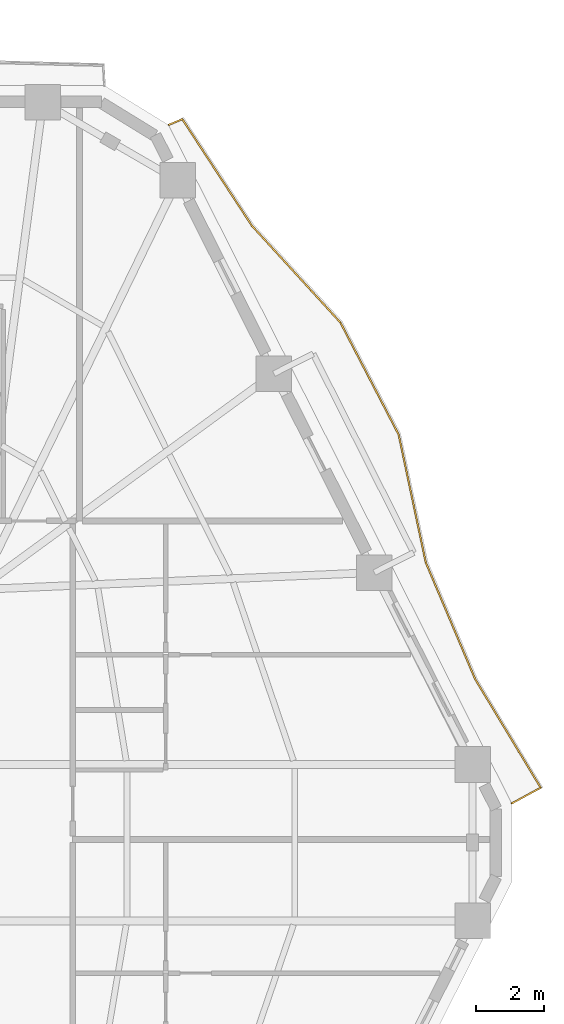
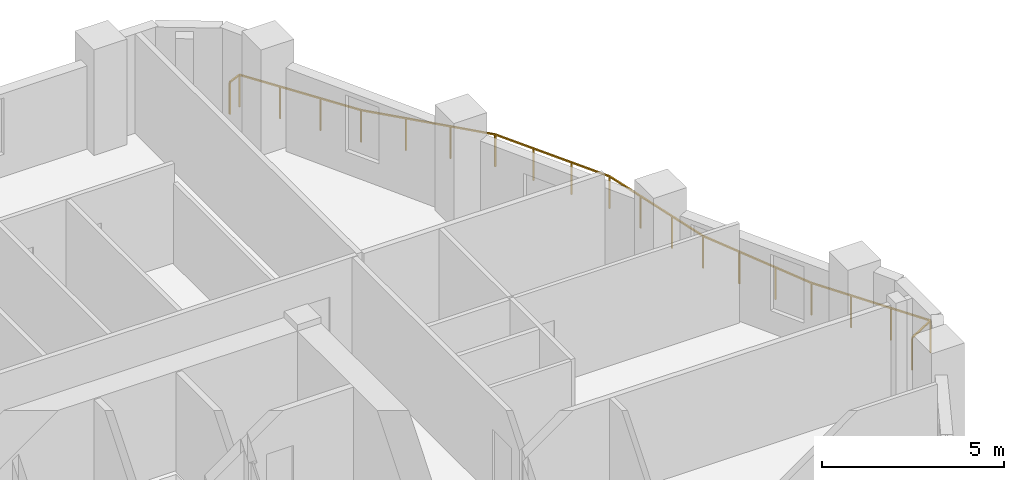
# One storey, part 11 of 11: 1 railing.
"""IFC4 building model written with IfcOpenShell, lengths in metres."""

from ifc_helpers import new_model, si_unit, direction, frame, origin, origin_2d, place, context, subcontext, project, spatial, rectangle, extrude, material, type_object, element, save


model = new_model("IFC4")

# Units and contexts
model_context = context("Model", 3, precision=1e-05, world=origin(), true_north=direction((0.0, 1.0)))
body_context = subcontext(model_context, "Body", "Model", "MODEL_VIEW")
ifc_project = project(units=[si_unit("LENGTHUNIT", "METRE"), si_unit("AREAUNIT", "SQUARE_METRE"), si_unit("VOLUMEUNIT", "CUBIC_METRE"), si_unit("PLANEANGLEUNIT", "RADIAN"), si_unit("MASSUNIT", "GRAM", prefix="KILO")], contexts=[model_context])

# Site, building, storey
site_placement = place(None, origin())
site = spatial("IfcSite", under=ifc_project, at=site_placement, CompositionType="ELEMENT")
building_placement = place(site_placement, origin())
building = spatial("IfcBuilding", under=site, at=building_placement, Name="Cinnabar Lancet Tower", CompositionType="ELEMENT")
storey_placement = place(building_placement, frame((0.0, 0.0, 133.89990234375)))
storey = spatial("IfcBuildingStorey", under=building, at=storey_placement, Name="L35", CompositionType="ELEMENT", Elevation=133.89990234375)

# Railing
ifc_material = material(Name="Laminated safety glass and bronze stainless steel balustrade", Category="steel")
railing_type = type_object("IfcRailingType", Name="ENV-RLG-BAL-1100", PredefinedType="BALUSTRADE", material=ifc_material)
railing_placement = place(storey_placement, frame((57.512939453125, 26.9599609375, 0.0)))
element("IfcRailing", 1, at=railing_placement, inside=storey, type_object=railing_type, Name="L35 Face 3 Wave Balcony Balustrade", PredefinedType="BALUSTRADE", context=body_context, shape_type="SweptSolid", body=[
    extrude(rectangle(XDim=0.048095703125, YDim=0.048095703125, at=origin_2d()), frame((0.0, 0.0, 1.076171875), z_axis=(0.878633673283, 0.477496458808, 0.0), x_axis=(-0.477496458808, 0.878633673283, 0.0)), (0.0, 0.0, 1.0), 0.971923828125),
    extrude(rectangle(XDim=0.048095703125, YDim=0.048095703125, at=origin_2d()), frame((0.85400390625, 0.464111328125, 1.076171875), z_axis=(-0.516873610427, 0.856061721398, 0.0), x_axis=(-0.856061721398, -0.516873610427, 0.0)), (0.0, 0.0, 1.0), 3.741455078125),
    extrude(rectangle(XDim=0.048095703125, YDim=0.048095703125, at=origin_2d()), frame((-1.079833984375, 3.6669921875, 1.076171875), z_axis=(-0.389842286977, 0.920881638043, 0.0), x_axis=(-0.920881638043, -0.389842286977, 0.0)), (0.0, 0.0, 1.0), 3.739990234375),
    extrude(rectangle(XDim=0.048095703125, YDim=0.048095703125, at=origin_2d()), frame((-2.537841796875, 7.111083984375, 1.076171875), z_axis=(-0.207575757314, 0.978218945316, 0.0), x_axis=(-0.978218945316, -0.207575757314, 0.0)), (0.0, 0.0, 1.0), 3.85888671875),
    extrude(rectangle(XDim=0.048095703125, YDim=0.048095703125, at=origin_2d()), frame((-3.3388671875, 10.885986328125, 1.076171875), z_axis=(-0.460979790235, 0.887410633807, 0.0), x_axis=(-0.887410633807, -0.460979790235, 0.0)), (0.0, 0.0, 1.0), 3.731201171875),
    extrude(rectangle(XDim=0.048095703125, YDim=0.048095703125, at=origin_2d()), frame((-5.058837890625, 14.197021484375, 1.076171875), z_axis=(-0.674919276383, 0.737891570874, 0.0), x_axis=(-0.737891570874, -0.674919276383, 0.0)), (0.0, 0.0, 1.0), 3.873046875),
    extrude(rectangle(XDim=0.048095703125, YDim=0.048095703125, at=origin_2d()), frame((-7.6728515625, 17.054931640625, 1.076171875), z_axis=(-0.546618702508, 0.837381629885, 0.0), x_axis=(-0.837381629885, -0.546618702508, 0.0)), (0.0, 0.0, 1.0), 3.755859375),
    extrude(rectangle(XDim=0.048095703125, YDim=0.048095703125, at=origin_2d()), frame((-9.725830078125, 20.199951171875, 1.076171875), z_axis=(-0.923207557986, -0.38430171074, 0.0), x_axis=(0.38430171074, -0.923207557986, 0.0)), (0.0, 0.0, 1.0), 0.442138671875),
    extrude(rectangle(XDim=0.0419921875, YDim=0.0419921875, at=origin_2d()), origin(), (0.0, 0.0, 1.0), 1.052001953125),
    extrude(rectangle(XDim=0.0419921875, YDim=0.0419921875, at=origin_2d()), frame((0.85400390625, 0.464111328125, 0.0)), (0.0, 0.0, 1.0), 1.052001953125),
    extrude(rectangle(XDim=0.0419921875, YDim=0.0419921875, at=origin_2d()), frame((0.20947265625, 1.53173828125, 0.0)), (0.0, 0.0, 1.0), 1.052001953125),
    extrude(rectangle(XDim=0.0419921875, YDim=0.0419921875, at=origin_2d()), frame((-0.435302734375, 2.599365234375, 0.0)), (0.0, 0.0, 1.0), 1.052001953125),
    extrude(rectangle(XDim=0.0419921875, YDim=0.0419921875, at=origin_2d()), frame((-1.079833984375, 3.6669921875, 0.0)), (0.0, 0.0, 1.0), 1.052001953125),
    extrude(rectangle(XDim=0.0419921875, YDim=0.0419921875, at=origin_2d()), frame((-1.56591796875, 4.81494140625, 0.0)), (0.0, 0.0, 1.0), 1.052001953125),
    extrude(rectangle(XDim=0.0419921875, YDim=0.0419921875, at=origin_2d()), frame((-2.0517578125, 5.963134765625, 0.0)), (0.0, 0.0, 1.0), 1.052001953125),
    extrude(rectangle(XDim=0.0419921875, YDim=0.0419921875, at=origin_2d()), frame((-2.537841796875, 7.111083984375, 0.0)), (0.0, 0.0, 1.0), 1.052001953125),
    extrude(rectangle(XDim=0.0419921875, YDim=0.0419921875, at=origin_2d()), frame((-2.804931640625, 8.369384765625, 0.0)), (0.0, 0.0, 1.0), 1.052001953125),
    extrude(rectangle(XDim=0.0419921875, YDim=0.0419921875, at=origin_2d()), frame((-3.07177734375, 9.627685546875, 0.0)), (0.0, 0.0, 1.0), 1.052001953125),
    extrude(rectangle(XDim=0.0419921875, YDim=0.0419921875, at=origin_2d()), frame((-3.3388671875, 10.885986328125, 0.0)), (0.0, 0.0, 1.0), 1.052001953125),
    extrude(rectangle(XDim=0.0419921875, YDim=0.0419921875, at=origin_2d()), frame((-3.912109375, 11.98974609375, 0.0)), (0.0, 0.0, 1.0), 1.052001953125),
    extrude(rectangle(XDim=0.0419921875, YDim=0.0419921875, at=origin_2d()), frame((-4.485595703125, 13.09326171875, 0.0)), (0.0, 0.0, 1.0), 1.052001953125),
    extrude(rectangle(XDim=0.0419921875, YDim=0.0419921875, at=origin_2d()), frame((-5.058837890625, 14.197021484375, 0.0)), (0.0, 0.0, 1.0), 1.052001953125),
    extrude(rectangle(XDim=0.0419921875, YDim=0.0419921875, at=origin_2d()), frame((-5.93017578125, 15.149658203125, 0.0)), (0.0, 0.0, 1.0), 1.052001953125),
    extrude(rectangle(XDim=0.0419921875, YDim=0.0419921875, at=origin_2d()), frame((-6.801513671875, 16.102294921875, 0.0)), (0.0, 0.0, 1.0), 1.052001953125),
    extrude(rectangle(XDim=0.0419921875, YDim=0.0419921875, at=origin_2d()), frame((-7.6728515625, 17.054931640625, 0.0)), (0.0, 0.0, 1.0), 1.052001953125),
    extrude(rectangle(XDim=0.0419921875, YDim=0.0419921875, at=origin_2d()), frame((-8.357177734375, 18.103271484375, 0.0)), (0.0, 0.0, 1.0), 1.052001953125),
    extrude(rectangle(XDim=0.0419921875, YDim=0.0419921875, at=origin_2d()), frame((-9.04150390625, 19.151611328125, 0.0)), (0.0, 0.0, 1.0), 1.052001953125),
    extrude(rectangle(XDim=0.0419921875, YDim=0.0419921875, at=origin_2d()), frame((-9.725830078125, 20.199951171875, 0.0)), (0.0, 0.0, 1.0), 1.052001953125),
    extrude(rectangle(XDim=0.0419921875, YDim=0.0419921875, at=origin_2d()), frame((-10.134033203125, 20.030029296875, 0.0)), (0.0, 0.0, 1.0), 1.052001953125),
])

save(model, "model.ifc")
